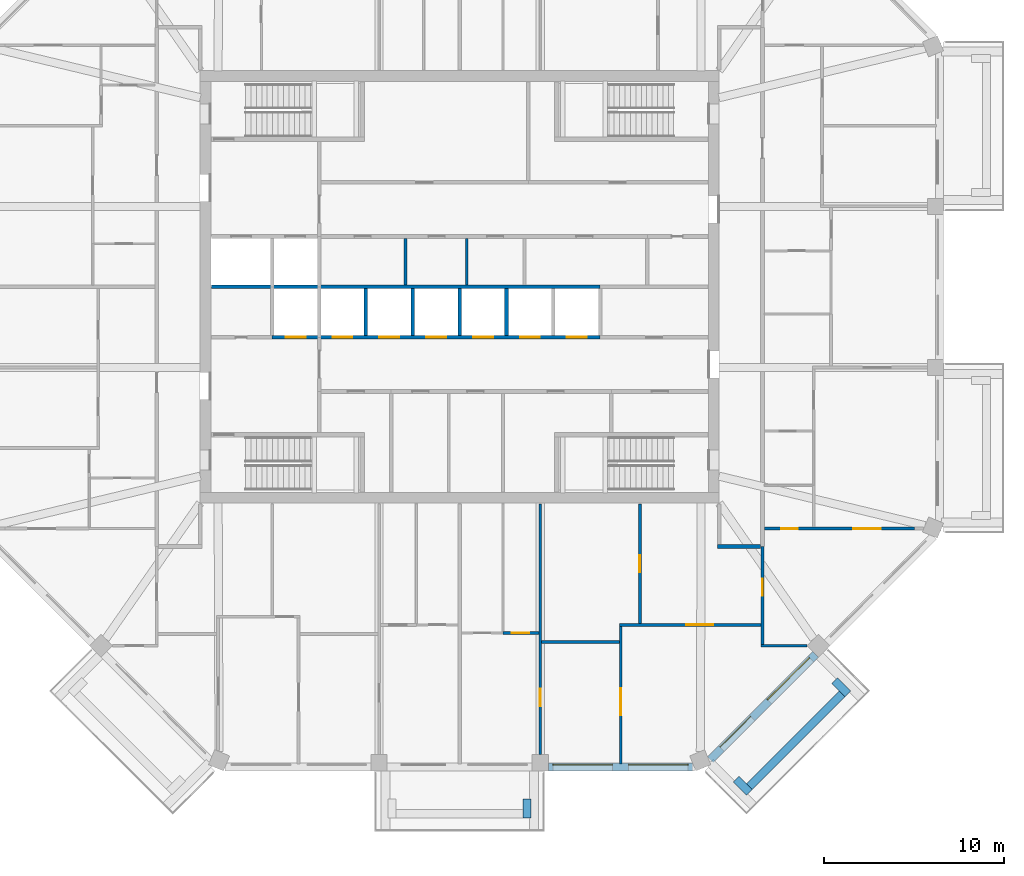
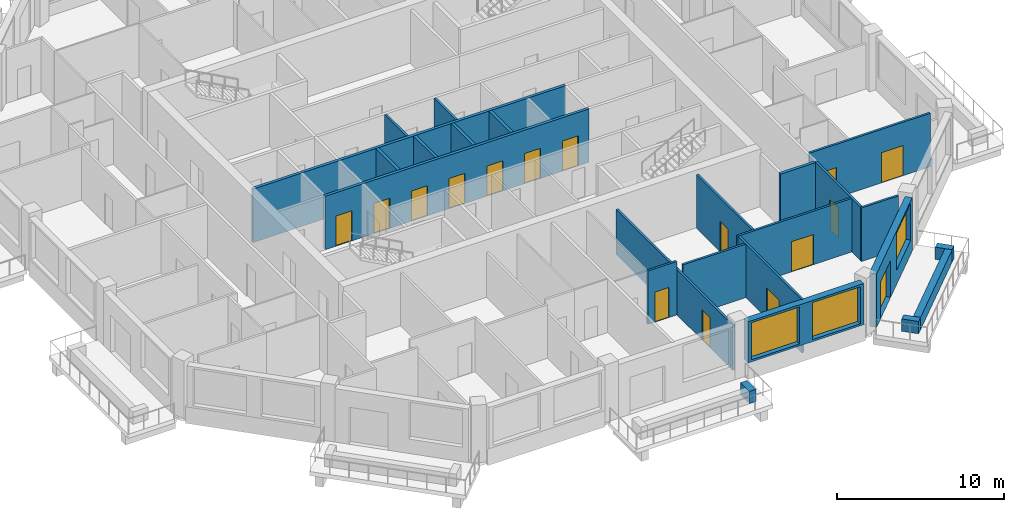
# One storey, part 5 of 12: 24 walls, 16 doors, 3 windows, 19 openings.
"""IFC4 building model written with IfcOpenShell, lengths in metres."""

import ifcopenshell
import ifcopenshell.guid

model = None  # the IFC model being written
_history = None  # IfcOwnerHistory: only IFC2X3 demands one
_inside = {}  # id of a spatial element -> (the spatial element, [elements in it])
_under = {}  # id of a project, library or spatial element -> (it, [spatial elements below it])
_declared = {}  # id of a project -> (the project, [libraries it declares])
_typed = {}  # id of a type object -> (the type object, [elements of that type])
_made_of = {}  # id of a material, layer set ... -> (it, [elements and type objects made of it])


def new_model(schema):
    """Start an empty IFC model of exactly this schema.

    Asked for "IFC4X3", IfcOpenShell would pick the latest addendum, in which some entities
    have other attributes; the version numbers below select the first issue.
    IFC2X3 requires an IfcOwnerHistory on every rooted entity: one is made here for all.
    """
    global model, _history
    if schema == "IFC4X3":
        model = ifcopenshell.file(schema_version=(4, 3, 0, 0))
    else:
        model = ifcopenshell.file(schema=schema)
    _inside.clear()
    _under.clear()
    _declared.clear()
    _typed.clear()
    _made_of.clear()
    _history = None
    if model.schema == "IFC2X3":
        org = make("IfcOrganization", Name="unknown")
        user = make(
            "IfcPersonAndOrganization",
            ThePerson=make("IfcPerson", FamilyName="unknown"),
            TheOrganization=org,
        )
        app = make(
            "IfcApplication",
            ApplicationDeveloper=org,
            Version="unknown",
            ApplicationFullName="unknown",
            ApplicationIdentifier="unknown",
        )
        _history = make(
            "IfcOwnerHistory",
            OwningUser=user,
            OwningApplication=app,
            ChangeAction="ADDED",
            CreationDate=0,
        )
    return model


def make(cls, **values):
    """One entity of the class cls with the attributes given. An attribute that is None is left unset."""
    return model.create_entity(
        cls, **{name: value for name, value in values.items() if value is not None}
    )


def rooted(cls, **values):
    """An entity with a GlobalId (a new one), such as an element, a storey or a relation."""
    return make(cls, GlobalId=ifcopenshell.guid.new(), OwnerHistory=_history, **values)


def si_unit(unit_type, name, prefix=None):
    """IfcSIUnit, for example si_unit("LENGTHUNIT", "METRE", prefix="MILLI")."""
    return make("IfcSIUnit", UnitType=unit_type, Prefix=prefix, Name=name)


def assignment(units):
    """IfcUnitAssignment: the units of a project."""
    return None if units is None else make("IfcUnitAssignment", Units=units)


def point(xyz):
    """IfcCartesianPoint."""
    return None if xyz is None else make("IfcCartesianPoint", Coordinates=xyz)


def direction(xyz):
    """IfcDirection."""
    return None if xyz is None else make("IfcDirection", DirectionRatios=xyz)


def frame(location, z_axis=None, x_axis=None):
    """IfcAxis2Placement3D, a coordinate frame: its origin and axes. An axis left out is left unset."""
    return make(
        "IfcAxis2Placement3D",
        Location=point(location),
        Axis=direction(z_axis),
        RefDirection=direction(x_axis),
    )


def frame_2d(location, x_axis=None):
    """IfcAxis2Placement2D, a coordinate frame in the plane: its origin and x axis."""
    return make(
        "IfcAxis2Placement2D", Location=point(location), RefDirection=direction(x_axis)
    )


def origin():
    """The frame at (0, 0, 0) with its axes left unset."""
    return frame((0.0, 0.0, 0.0))


def place(relative_to, where):
    """IfcLocalPlacement: puts the frame where relative to a parent placement (None: the world)."""
    return make(
        "IfcLocalPlacement", PlacementRelTo=relative_to, RelativePlacement=where
    )


def context(
    kind, dimensions, precision=None, world=None, true_north=None, identifier=None
):
    """IfcGeometricRepresentationContext, for example the 3D "Model" context."""
    return make(
        "IfcGeometricRepresentationContext",
        ContextIdentifier=identifier,
        ContextType=kind,
        CoordinateSpaceDimension=dimensions,
        Precision=precision,
        WorldCoordinateSystem=world,
        TrueNorth=true_north,
    )


def subcontext(parent, identifier, kind, view, scale=None):
    """IfcGeometricRepresentationSubContext, for example "Body" below "Model"."""
    return make(
        "IfcGeometricRepresentationSubContext",
        ContextIdentifier=identifier,
        ContextType=kind,
        ParentContext=parent,
        TargetScale=scale,
        TargetView=view,
    )


def project(units=None, contexts=None):
    """IfcProject with its units and contexts."""
    return rooted(
        "IfcProject",
        Name="project",
        RepresentationContexts=contexts,
        UnitsInContext=assignment(units),
    )


def spatial(cls, under=None, at=None, **own):
    """A site, building, storey or space (cls), placed at a placement, below another one or the project."""
    s = rooted(cls, ObjectPlacement=at, **own)
    if under is not None:
        _under.setdefault(under.id(), (under, []))[1].append(s)
    return s


def profile(cls, at=None, kind="AREA", **sizes):
    """A parametric profile (cls). Its sizes go by their IFC names, for example OverallWidth=200.0."""
    return make(cls, ProfileType=kind, Position=at, **sizes)


def rectangle(**sizes):
    """IfcRectangleProfileDef."""
    return profile("IfcRectangleProfileDef", **sizes)


def extrude(swept, where, along, depth):
    """IfcExtrudedAreaSolid: the profile swept, set in the frame where, extruded along a direction by depth."""
    return make(
        "IfcExtrudedAreaSolid",
        SweptArea=swept,
        Position=where,
        ExtrudedDirection=direction(along),
        Depth=depth,
    )


def shape(context_of_items, identifier, shape_type, items):
    """IfcShapeRepresentation: the items that make up one representation, for example the "Body"."""
    return make(
        "IfcShapeRepresentation",
        ContextOfItems=context_of_items,
        RepresentationIdentifier=identifier,
        RepresentationType=shape_type,
        Items=items,
    )


def material(Name=None, Category=None):
    """IfcMaterial."""
    return make("IfcMaterial", Name=Name, Category=Category)


def layer(
    of_material, thickness, ventilated=None, Name=None, Category=None, Priority=None
):
    """IfcMaterialLayer: one layer of a wall or slab, of a material (None: an air gap)."""
    return make(
        "IfcMaterialLayer",
        Material=of_material,
        LayerThickness=thickness,
        IsVentilated=ventilated,
        Name=Name,
        Category=Category,
        Priority=Priority,
    )


def layer_set(layers, Name=None):
    """IfcMaterialLayerSet."""
    return make("IfcMaterialLayerSet", MaterialLayers=layers, LayerSetName=Name)


def made_of(thing, what):
    """Note that an element or type object is made of a material, layer set ...; save() writes the relation."""
    if what is not None:
        _made_of.setdefault(what.id(), (what, []))[1].append(thing)
    return thing


def type_object(cls, material=None, **own):
    """A type object (cls), such as IfcWallType, which elements share."""
    return made_of(rooted(cls, **own), material)


def element(
    cls,
    number,
    at=None,
    inside=None,
    cuts=None,
    type_object=None,
    material=None,
    context=None,
    identifier="Body",
    shape_type=None,
    held_by="IfcProductDefinitionShape",
    body=None,
    shapes=None,
    **own,
):
    """One element of the class cls, such as IfcWall. Its Tag is "e" and its number.

    at: its placement. inside: the storey or other place that contains it. cuts: it is an
    opening in that element (IfcRelVoidsElement). A single representation is given by context,
    identifier, shape_type and body (its items); several are given by shapes. held_by: the class
    of the entity that holds the representations. save() writes the other relations.
    """
    e = rooted(cls, Tag="e%d" % number, ObjectPlacement=at, **own)
    if body is not None:
        shapes = [shape(context, identifier, shape_type, body)]
    if shapes is not None:
        e.Representation = make(held_by, Representations=shapes)
    if inside is not None:
        _inside.setdefault(inside.id(), (inside, []))[1].append(e)
    if cuts is not None:
        rooted(
            "IfcRelVoidsElement", RelatingBuildingElement=cuts, RelatedOpeningElement=e
        )
    if type_object is not None:
        _typed.setdefault(type_object.id(), (type_object, []))[1].append(e)
    return made_of(e, material)


def fill(opening, filler):
    """IfcRelFillsElement: the door or window that sits in an opening."""
    return rooted(
        "IfcRelFillsElement",
        RelatingOpeningElement=opening,
        RelatedBuildingElement=filler,
    )


def aggregate(whole, parts):
    """IfcRelAggregates: a whole, such as a stair, and the parts it consists of."""
    return rooted("IfcRelAggregates", RelatingObject=whole, RelatedObjects=parts)


def save(model, path):
    """Write the relations noted so far, then the file.

    IfcRelAggregates (storeys below a building ...), IfcRelContainedInSpatialStructure (elements
    in a storey), IfcRelDefinesByType, IfcRelAssociatesMaterial and IfcRelDeclares: one each for
    every whole, place, type object, material and project.
    """
    for whole, parts in _under.values():
        aggregate(whole, parts)
    for where, things in _inside.values():
        rooted(
            "IfcRelContainedInSpatialStructure",
            RelatedElements=things,
            RelatingStructure=where,
        )
    for kind, things in _typed.values():
        rooted("IfcRelDefinesByType", RelatedObjects=things, RelatingType=kind)
    for what, things in _made_of.values():
        rooted("IfcRelAssociatesMaterial", RelatedObjects=things, RelatingMaterial=what)
    for by, libraries in _declared.values():
        rooted("IfcRelDeclares", RelatingContext=by, RelatedDefinitions=libraries)
    model.write(path)


model = new_model("IFC4")

# Units and contexts
model_context = context("Model", 3, precision=1e-05, world=origin(), true_north=direction((0.0, 1.0)))
body_context = subcontext(model_context, "Body", "Model", "MODEL_VIEW")
ifc_project = project(units=[si_unit("LENGTHUNIT", "METRE"), si_unit("AREAUNIT", "SQUARE_METRE"), si_unit("VOLUMEUNIT", "CUBIC_METRE"), si_unit("PLANEANGLEUNIT", "RADIAN"), si_unit("MASSUNIT", "GRAM", prefix="KILO")], contexts=[model_context])

# Site, building, storey
site_placement = place(None, origin())
site = spatial("IfcSite", under=ifc_project, at=site_placement, CompositionType="ELEMENT")
building_placement = place(site_placement, origin())
building = spatial("IfcBuilding", under=site, at=building_placement, Name="Msitu Wima Residences", CompositionType="ELEMENT")
storey_placement = place(building_placement, frame((0.0, 0.0, 306.300048828125)))
storey = spatial("IfcBuildingStorey", under=building, at=storey_placement, Name="L71", CompositionType="ELEMENT", Elevation=306.300048828125)

# Walls
ifc_material_1 = material(Name="Facing brick")
ifc_layer_1 = layer(ifc_material_1, 0.06494140625, Name="Facing brick")
ifc_material_2 = material(Name="Concrete C40/50", Category="concrete")
ifc_layer_2 = layer(ifc_material_2, 0.156005859375, Name="Concrete C40/50")
ifc_material_3 = material(Name="Waterproofing membrane")
ifc_layer_3 = layer(ifc_material_3, 0.00390625, Name="Waterproofing membrane")
ifc_material_4 = material(Name="Planting soil and planting")
ifc_layer_4 = layer(ifc_material_4, 0.22509765625, Name="Planting soil and planting")
ifc_layer_set_1 = layer_set([ifc_layer_1, ifc_layer_2, ifc_layer_3, ifc_layer_4], Name="Concrete C40/50")
wall_type_1 = type_object("IfcWallType", Name="Balcony planter PLANTER PL450", PredefinedType="USERDEFINED", material=ifc_layer_set_1)
wall_1_placement = place(storey_placement, frame((3.74365234375, -28.39990234375, 0.0), z_axis=(0.0, 0.0, 1.0), x_axis=(0.0, -1.0, 0.0)))
element("IfcWall", 1, at=wall_1_placement, inside=storey, type_object=wall_type_1, Name="Balcony planter S1 L71", ObjectType="PLANTER", PredefinedType="USERDEFINED", context=body_context, shape_type="SweptSolid", body=[
    extrude(rectangle(XDim=1.050048828125, YDim=0.449951171875, at=frame_2d((0.52490234375, 0.0))), origin(), (0.0, 0.0, 1.0), 0.89990234375),
])
wall_2_placement = place(storey_placement, frame((16.0751953125, -27.725830078125, 0.0), z_axis=(0.0, 0.0, 1.0), x_axis=(0.707106781187, 0.707106781187, 0.0)))
element("IfcWall", 2, at=wall_2_placement, inside=storey, type_object=wall_type_1, Name="Balcony planter SE0 L71", ObjectType="PLANTER", PredefinedType="USERDEFINED", context=body_context, shape_type="SweptSolid", body=[
    extrude(rectangle(XDim=7.288330078125, YDim=0.449951171875, at=frame_2d((3.64404296875, 0.0))), origin(), (0.0, 0.0, 1.0), 0.89990234375),
])
for number, where, z_axis, x_axis, name in (
    (3, (15.332763671875, -27.301513671875, 0.0), (0.0, 0.0, 1.0), (0.707106781187, -0.707106781187, 0.0), "Balcony planter SE0 L71"),
    (4, (20.804443359375, -21.829833984375, 0.0), (0.0, 0.0, 1.0), (0.707106781187, -0.707106781187, 0.0), "Balcony planter SE0 L71"),
):
    element("IfcWall", number, at=place(storey_placement, frame(where, z_axis=z_axis, x_axis=x_axis)), inside=storey, type_object=wall_type_1, Name=name, ObjectType="PLANTER", PredefinedType="USERDEFINED", context=body_context, shape_type="SweptSolid", body=[
        extrude(rectangle(XDim=1.050048828125, YDim=0.449951171875, at=frame_2d((0.52490234375, 0.0))), origin(), (0.0, 0.0, 1.0), 0.89990234375),
    ])

# Wall, openings, windows
ifc_material_5 = material(Name="Brick (red buff mix)", Category="masonry")
ifc_layer_5 = layer(ifc_material_5, 0.449951171875)
ifc_layer_set_2 = layer_set([ifc_layer_5], Name="Brick (red buff mix)")
wall_type_2 = type_object("IfcWallType", Name="Brick infill wall BW450", PredefinedType="SOLIDWALL", material=ifc_layer_set_2)
wall_3_placement = place(storey_placement, frame((4.918701171875, -26.625, 0.89990234375), z_axis=(0.0, 0.0, 1.0), x_axis=(1.0, 0.0, 0.0)))
wall_3 = element("IfcWall", 5, at=wall_3_placement, inside=storey, type_object=wall_type_2, Name="Brick infill wall L71 S2", PredefinedType="SOLIDWALL", context=body_context, shape_type="SweptSolid", body=[
    extrude(rectangle(XDim=8.0, YDim=0.449951171875, at=frame_2d((4.0, 0.0))), origin(), (0.0, 0.0, 1.0), 3.0),
])
opening_1_placement = place(wall_3_placement, frame((0.25, 0.0, 0.14990234375)))
opening_1 = element("IfcOpeningElement", 6, at=opening_1_placement, cuts=wall_3, Name="Opening W71.019", PredefinedType="OPENING", context=body_context, shape_type="SweptSolid", body=[
    extrude(rectangle(XDim=3.300048828125, YDim=2.699951171875, at=frame_2d((1.64990234375, 1.35009765625))), frame((0.0, 0.23486328125, 0.0), z_axis=(0.0, -1.0, 0.0), x_axis=(1.0, 0.0, 0.0)), (0.0, 0.0, 1.0), 0.469970703125),
])
opening_2_placement = place(wall_3_placement, frame((4.4501953125, 0.0, 0.14990234375)))
opening_2 = element("IfcOpeningElement", 7, at=opening_2_placement, cuts=wall_3, Name="Opening W71.020", PredefinedType="OPENING", context=body_context, shape_type="SweptSolid", body=[
    extrude(rectangle(XDim=3.300048828125, YDim=2.699951171875, at=frame_2d((1.64990234375, 1.35009765625))), frame((0.0, 0.23486328125, 0.0), z_axis=(0.0, -1.0, 0.0), x_axis=(1.0, 0.0, 0.0)), (0.0, 0.0, 1.0), 0.469970703125),
])
ifc_material_6 = material(Name="Anodised aluminium, bronze finish, clear low-emissivity double glazing", Category="aluminium")
window_type = type_object("IfcWindowType", Name="Window W3300x2700", PartitioningType="DOUBLE_PANEL_VERTICAL", PredefinedType="WINDOW", material=ifc_material_6)
window_1_placement = place(opening_1_placement, origin())
window_1 = element("IfcWindow", 8, at=window_1_placement, inside=storey, type_object=window_type, Name="Window L71 S2.1", OverallHeight=2.699951171875, OverallWidth=3.300048828125, PartitioningType="SINGLE_PANEL", PredefinedType="WINDOW", context=body_context, shape_type="SweptSolid", body=[
    extrude(rectangle(XDim=3.300048828125, YDim=2.699951171875, at=frame_2d((1.64990234375, 1.35009765625))), frame((0.0, 0.135009765625, 0.0), z_axis=(0.0, -1.0, 0.0), x_axis=(1.0, 0.0, 0.0)), (0.0, 0.0, 1.0), 0.06005859375),
])
fill(opening_1, window_1)
window_2_placement = place(opening_2_placement, origin())
window_2 = element("IfcWindow", 9, at=window_2_placement, inside=storey, type_object=window_type, Name="Window L71 S2.2", OverallHeight=2.699951171875, OverallWidth=3.300048828125, PartitioningType="SINGLE_PANEL", PredefinedType="WINDOW", context=body_context, shape_type="SweptSolid", body=[
    extrude(rectangle(XDim=3.300048828125, YDim=2.699951171875, at=frame_2d((1.64990234375, 1.35009765625))), frame((0.0, 0.135009765625, 0.0), z_axis=(0.0, -1.0, 0.0), x_axis=(1.0, 0.0, 0.0)), (0.0, 0.0, 1.0), 0.06005859375),
])
fill(opening_2, window_2)

# Wall, openings, door, window
wall_4_placement = place(storey_placement, frame((13.909423828125, -26.214599609375, 0.0), z_axis=(0.0, 0.0, 1.0), x_axis=(0.707106781187, 0.707106781187, 0.0)))
wall_4 = element("IfcWall", 10, at=wall_4_placement, inside=storey, type_object=wall_type_2, Name="Brick infill wall L71 SE0", PredefinedType="SOLIDWALL", context=body_context, shape_type="SweptSolid", body=[
    extrude(rectangle(XDim=8.251220703125, YDim=0.449951171875, at=frame_2d((4.12548828125, 0.0))), origin(), (0.0, 0.0, 1.0), 3.89990234375),
])
opening_3_placement = place(wall_4_placement, frame((0.86279296875, 0.0, 0.0)))
opening_3 = element("IfcOpeningElement", 11, at=opening_3_placement, cuts=wall_4, Name="Opening D71.007", PredefinedType="OPENING", context=body_context, shape_type="SweptSolid", body=[
    extrude(rectangle(XDim=2.39990234375, YDim=2.699951171875, at=frame_2d((1.199951171875, 1.35009765625))), frame((0.0, 0.23486328125, 0.0), z_axis=(0.0, -1.0, 0.0), x_axis=(1.0, 0.0, 0.0)), (0.0, 0.0, 1.0), 0.469970703125),
])
opening_4_placement = place(wall_4_placement, frame((4.57568359375, 0.0, 1.050048828125)))
opening_4 = element("IfcOpeningElement", 12, at=opening_4_placement, cuts=wall_4, Name="Opening W71.021", PredefinedType="OPENING", context=body_context, shape_type="SweptSolid", body=[
    extrude(rectangle(XDim=3.300048828125, YDim=2.699951171875, at=frame_2d((1.64990234375, 1.35009765625))), frame((0.0, 0.23486328125, 0.0), z_axis=(0.0, -1.0, 0.0), x_axis=(1.0, 0.0, 0.0)), (0.0, 0.0, 1.0), 0.469970703125),
])
door_type_1 = type_object("IfcDoorType", Name="Balcony door D2400x2700", OperationType="SLIDING_TO_LEFT", PredefinedType="DOOR", material=ifc_material_6)
door_1_placement = place(opening_3_placement, origin())
door_1 = element("IfcDoor", 13, at=door_1_placement, inside=storey, type_object=door_type_1, Name="Balcony door L71 SE0", OperationType="SINGLE_SWING_LEFT", OverallHeight=2.699951171875, OverallWidth=2.39990234375, PredefinedType="DOOR", context=body_context, shape_type="SweptSolid", body=[
    extrude(rectangle(XDim=2.39990234375, YDim=2.699951171875, at=frame_2d((1.199951171875, 1.35009765625))), frame((0.0, 0.1298828125, 0.0), z_axis=(0.0, -1.0, 0.0), x_axis=(1.0, 0.0, 0.0)), (0.0, 0.0, 1.0), 0.050048828125),
])
fill(opening_3, door_1)
window_3_placement = place(opening_4_placement, origin())
window_3 = element("IfcWindow", 14, at=window_3_placement, inside=storey, type_object=window_type, Name="Window L71 SE0.2", OverallHeight=2.699951171875, OverallWidth=3.300048828125, PartitioningType="SINGLE_PANEL", PredefinedType="WINDOW", context=body_context, shape_type="SweptSolid", body=[
    extrude(rectangle(XDim=3.300048828125, YDim=2.699951171875, at=frame_2d((1.64990234375, 1.35009765625))), frame((0.0, 0.135009765625, 0.0), z_axis=(0.0, -1.0, 0.0), x_axis=(1.0, 0.0, 0.0)), (0.0, 0.0, 1.0), 0.06005859375),
])
fill(opening_4, window_3)

# Walls
ifc_material_7 = material(Name="Plaster")
ifc_layer_6 = layer(ifc_material_7, 0.011962890625, Name="Plaster")
ifc_material_8 = material(Name="Concrete blockwork", Category="masonry")
ifc_layer_7 = layer(ifc_material_8, 0.176025390625, Name="Concrete blockwork")
ifc_layer_8 = layer(ifc_material_7, 0.011962890625, Name="Plaster")
ifc_layer_set_3 = layer_set([ifc_layer_6, ifc_layer_7, ifc_layer_8], Name="Concrete blockwork")
wall_type_3 = type_object("IfcWallType", Name="Corridor wall FW200", PredefinedType="PARTITIONING", material=ifc_layer_set_3)
wall_5_placement = place(storey_placement, frame((14.300048828125, -14.39990234375, 0.0), z_axis=(0.0, 0.0, 1.0), x_axis=(1.0, 0.0, 0.0)))
element("IfcWall", 15, at=wall_5_placement, inside=storey, type_object=wall_type_3, Name="Corridor wall", PredefinedType="PARTITIONING", context=body_context, shape_type="SweptSolid", body=[
    extrude(rectangle(XDim=2.39990234375, YDim=0.199951171875, at=frame_2d((1.199951171875, 0.0))), origin(), (0.0, 0.0, 1.0), 3.89990234375),
])
ifc_layer_9 = layer(ifc_material_7, 0.011962890625, Name="Plaster")
ifc_layer_10 = layer(ifc_material_8, 0.1259765625, Name="Concrete blockwork")
ifc_layer_11 = layer(ifc_material_7, 0.011962890625, Name="Plaster")
ifc_layer_set_4 = layer_set([ifc_layer_9, ifc_layer_10, ifc_layer_11], Name="Concrete blockwork")
wall_type_4 = type_object("IfcWallType", Name="Partition PW150", PredefinedType="PARTITIONING", material=ifc_layer_set_4)
for number, where, z_axis, x_axis, name in (
    (16, (-3.0, 0.10009765625, 0.0), (0.0, 0.0, 1.0), (0.0, 1.0, 0.0), "Partition"),
    (17, (0.39990234375, 0.10009765625, 0.0), (0.0, 0.0, 1.0), (0.0, 1.0, 0.0), "Partition"),
):
    element("IfcWall", number, at=place(storey_placement, frame(where, z_axis=z_axis, x_axis=x_axis)), inside=storey, type_object=wall_type_4, Name=name, PredefinedType="PARTITIONING", context=body_context, shape_type="SweptSolid", body=[
        extrude(rectangle(XDim=2.599853515625, YDim=0.14990234375, at=frame_2d((1.2998046875, 0.0))), origin(), (0.0, 0.0, 1.0), 3.89990234375),
    ])

# Wall, opening, door
wall_6_placement = place(storey_placement, frame((2.39990234375, -19.199951171875, 0.0), z_axis=(0.0, 0.0, 1.0), x_axis=(1.0, 0.0, 0.0)))
wall_6 = element("IfcWall", 18, at=wall_6_placement, inside=storey, type_object=wall_type_4, Name="Partition", PredefinedType="PARTITIONING", context=body_context, shape_type="SweptSolid", body=[
    extrude(rectangle(XDim=1.99365234375, YDim=0.14990234375, at=frame_2d((0.996826171875, 0.0))), origin(), (0.0, 0.0, 1.0), 3.89990234375),
])
opening_5_placement = place(wall_6_placement, frame((0.5, 0.0, 0.0)))
opening_5 = element("IfcOpeningElement", 19, at=opening_5_placement, cuts=wall_6, Name="Opening D71.026", PredefinedType="OPENING", context=body_context, shape_type="SweptSolid", body=[
    extrude(rectangle(XDim=0.949951171875, YDim=2.199951171875, at=frame_2d((0.47509765625, 1.10009765625))), frame((0.0, 0.0849609375, 0.0), z_axis=(0.0, -1.0, 0.0), x_axis=(1.0, 0.0, 0.0)), (0.0, 0.0, 1.0), 0.169921875),
])
ifc_material_9 = material(Name="Timber flush door", Category="wood")
door_type_2 = type_object("IfcDoorType", Name="Room door D12 950x2200", OperationType="SINGLE_SWING_LEFT", PredefinedType="DOOR", material=ifc_material_9)
door_2_placement = place(opening_5_placement, origin())
door_2 = element("IfcDoor", 20, at=door_2_placement, inside=storey, type_object=door_type_2, Name="Room door", OperationType="SINGLE_SWING_LEFT", OverallHeight=2.199951171875, OverallWidth=0.949951171875, PredefinedType="DOOR", context=body_context, shape_type="SweptSolid", body=[
    extrude(rectangle(XDim=0.949951171875, YDim=2.199951171875, at=frame_2d((0.47509765625, 1.10009765625))), frame((0.0, 0.02490234375, 0.0), z_axis=(0.0, -1.0, 0.0), x_axis=(1.0, 0.0, 0.0)), (0.0, 0.0, 1.0), 0.050048828125),
])
fill(opening_5, door_2)

wall_7_placement = place(storey_placement, frame((4.46875, -25.949951171875, 0.0), z_axis=(0.0, 0.0, 1.0), x_axis=(0.0, 1.0, 0.0)))
wall_7 = element("IfcWall", 21, at=wall_7_placement, inside=storey, type_object=wall_type_4, Name="Partition", PredefinedType="PARTITIONING", context=body_context, shape_type="SweptSolid", body=[
    extrude(rectangle(XDim=13.919921875, YDim=0.14990234375, at=frame_2d((6.9599609375, 0.0))), origin(), (0.0, 0.0, 1.0), 3.300048828125),
])
opening_6_placement = place(wall_7_placement, frame((2.699951171875, 0.0, 0.0)))
opening_6 = element("IfcOpeningElement", 22, at=opening_6_placement, cuts=wall_7, Name="Opening D71.022", PredefinedType="OPENING", context=body_context, shape_type="SweptSolid", body=[
    extrude(rectangle(XDim=0.949951171875, YDim=2.199951171875, at=frame_2d((0.47509765625, 1.10009765625))), frame((0.0, 0.0849609375, 0.0), z_axis=(0.0, -1.0, 0.0), x_axis=(1.0, 0.0, 0.0)), (0.0, 0.0, 1.0), 0.169921875),
])
door_3_placement = place(opening_6_placement, origin())
door_3 = element("IfcDoor", 23, at=door_3_placement, inside=storey, type_object=door_type_2, Name="Room door", OperationType="SINGLE_SWING_LEFT", OverallHeight=2.199951171875, OverallWidth=0.949951171875, PredefinedType="DOOR", context=body_context, shape_type="SweptSolid", body=[
    extrude(rectangle(XDim=0.949951171875, YDim=2.199951171875, at=frame_2d((0.47509765625, 1.10009765625))), frame((0.0, 0.02490234375, 0.0), z_axis=(0.0, -1.0, 0.0), x_axis=(1.0, 0.0, 0.0)), (0.0, 0.0, 1.0), 0.050048828125),
])
fill(opening_6, door_3)

# Wall
wall_8_placement = place(storey_placement, frame((4.543701171875, -19.699951171875, 0.0), z_axis=(0.0, 0.0, 1.0), x_axis=(1.0, 0.0, 0.0)))
element("IfcWall", 24, at=wall_8_placement, inside=storey, type_object=wall_type_4, Name="Partition", PredefinedType="PARTITIONING", context=body_context, shape_type="SweptSolid", body=[
    extrude(rectangle(XDim=4.318603515625, YDim=0.14990234375, at=frame_2d((2.1591796875, 0.0))), origin(), (0.0, 0.0, 1.0), 3.89990234375),
])

# Wall, opening, door
wall_9_placement = place(storey_placement, frame((8.937255859375, -26.455078125, 0.0), z_axis=(0.0, 0.0, 1.0), x_axis=(0.0, 1.0, 0.0)))
wall_9 = element("IfcWall", 25, at=wall_9_placement, inside=storey, type_object=wall_type_4, Name="Partition", PredefinedType="PARTITIONING", context=body_context, shape_type="SweptSolid", body=[
    extrude(rectangle(XDim=7.630126953125, YDim=0.14990234375, at=frame_2d((3.81494140625, 0.0))), origin(), (0.0, 0.0, 1.0), 3.89990234375),
])
opening_7_placement = place(wall_9_placement, frame((2.699951171875, 0.0, 0.0)))
opening_7 = element("IfcOpeningElement", 26, at=opening_7_placement, cuts=wall_9, Name="Opening D71.019", PredefinedType="OPENING", context=body_context, shape_type="SweptSolid", body=[
    extrude(rectangle(XDim=1.5, YDim=2.199951171875, at=frame_2d((0.75, 1.10009765625))), frame((0.0, 0.0849609375, 0.0), z_axis=(0.0, -1.0, 0.0), x_axis=(1.0, 0.0, 0.0)), (0.0, 0.0, 1.0), 0.169921875),
])
ifc_material_10 = material(Name="Timber double door", Category="wood")
door_type_3 = type_object("IfcDoorType", Name="Double door D04 1500x2200", OperationType="DOUBLE_DOOR_SINGLE_SWING", PredefinedType="DOOR", material=ifc_material_10)
door_4_placement = place(opening_7_placement, origin())
door_4 = element("IfcDoor", 27, at=door_4_placement, inside=storey, type_object=door_type_3, Name="Double door", OperationType="DOUBLE_DOOR_SINGLE_SWING", OverallHeight=2.199951171875, OverallWidth=1.5, PredefinedType="DOOR", context=body_context, shape_type="SweptSolid", body=[
    extrude(rectangle(XDim=1.5, YDim=2.199951171875, at=frame_2d((0.75, 1.10009765625))), frame((0.0, 0.02490234375, 0.0), z_axis=(0.0, -1.0, 0.0), x_axis=(1.0, 0.0, 0.0)), (0.0, 0.0, 1.0), 0.050048828125),
])
fill(opening_7, door_4)

wall_10_placement = place(storey_placement, frame((8.8623046875, -18.75, 0.0), z_axis=(0.0, 0.0, 1.0), x_axis=(1.0, 0.0, 0.0)))
wall_10 = element("IfcWall", 28, at=wall_10_placement, inside=storey, type_object=wall_type_4, Name="Partition", PredefinedType="PARTITIONING", context=body_context, shape_type="SweptSolid", body=[
    extrude(rectangle(XDim=7.86279296875, YDim=0.14990234375, at=frame_2d((3.931396484375, 0.0))), origin(), (0.0, 0.0, 1.0), 3.89990234375),
])
opening_8_placement = place(wall_10_placement, frame((3.699951171875, 0.0, 0.0)))
opening_8 = element("IfcOpeningElement", 29, at=opening_8_placement, cuts=wall_10, Name="Opening D71.036", PredefinedType="OPENING", context=body_context, shape_type="SweptSolid", body=[
    extrude(rectangle(XDim=1.5, YDim=2.199951171875, at=frame_2d((0.75, 1.10009765625))), frame((0.0, 0.0849609375, 0.0), z_axis=(0.0, -1.0, 0.0), x_axis=(1.0, 0.0, 0.0)), (0.0, 0.0, 1.0), 0.169921875),
])
door_5_placement = place(opening_8_placement, origin())
door_5 = element("IfcDoor", 30, at=door_5_placement, inside=storey, type_object=door_type_3, Name="Double door", OperationType="DOUBLE_DOOR_SINGLE_SWING", OverallHeight=2.199951171875, OverallWidth=1.5, PredefinedType="DOOR", context=body_context, shape_type="SweptSolid", body=[
    extrude(rectangle(XDim=1.5, YDim=2.199951171875, at=frame_2d((0.75, 1.10009765625))), frame((0.0, 0.02490234375, 0.0), z_axis=(0.0, -1.0, 0.0), x_axis=(1.0, 0.0, 0.0)), (0.0, 0.0, 1.0), 0.050048828125),
])
fill(opening_8, door_5)

wall_11_placement = place(storey_placement, frame((10.0, -18.675048828125, 0.0), z_axis=(0.0, 0.0, 1.0), x_axis=(0.0, 1.0, 0.0)))
wall_11 = element("IfcWall", 31, at=wall_11_placement, inside=storey, type_object=wall_type_4, Name="Partition", PredefinedType="PARTITIONING", context=body_context, shape_type="SweptSolid", body=[
    extrude(rectangle(XDim=6.64501953125, YDim=0.14990234375, at=frame_2d((3.322509765625, 0.0))), origin(), (0.0, 0.0, 1.0), 3.89990234375),
])
opening_9_placement = place(wall_11_placement, frame((2.85009765625, 0.0, 0.0)))
opening_9 = element("IfcOpeningElement", 32, at=opening_9_placement, cuts=wall_11, Name="Opening D71.018", PredefinedType="OPENING", context=body_context, shape_type="SweptSolid", body=[
    extrude(rectangle(XDim=0.949951171875, YDim=2.199951171875, at=frame_2d((0.47509765625, 1.10009765625))), frame((0.0, 0.0849609375, 0.0), z_axis=(0.0, -1.0, 0.0), x_axis=(1.0, 0.0, 0.0)), (0.0, 0.0, 1.0), 0.169921875),
])
door_6_placement = place(opening_9_placement, origin())
door_6 = element("IfcDoor", 33, at=door_6_placement, inside=storey, type_object=door_type_2, Name="Room door", OperationType="SINGLE_SWING_LEFT", OverallHeight=2.199951171875, OverallWidth=0.949951171875, PredefinedType="DOOR", context=body_context, shape_type="SweptSolid", body=[
    extrude(rectangle(XDim=0.949951171875, YDim=2.199951171875, at=frame_2d((0.47509765625, 1.10009765625))), frame((0.0, 0.02490234375, 0.0), z_axis=(0.0, -1.0, 0.0), x_axis=(1.0, 0.0, 0.0)), (0.0, 0.0, 1.0), 0.050048828125),
])
fill(opening_9, door_6)

wall_12_placement = place(storey_placement, frame((16.800048828125, -19.827880859375, 0.0), z_axis=(0.0, 0.0, 1.0), x_axis=(0.0, 1.0, 0.0)))
wall_12 = element("IfcWall", 34, at=wall_12_placement, inside=storey, type_object=wall_type_4, Name="Partition", PredefinedType="PARTITIONING", context=body_context, shape_type="SweptSolid", body=[
    extrude(rectangle(XDim=5.427978515625, YDim=0.14990234375, at=frame_2d((2.7138671875, 0.0))), origin(), (0.0, 0.0, 1.0), 3.89990234375),
])
opening_10_placement = place(wall_12_placement, frame((2.699951171875, 0.0, 0.0)))
opening_10 = element("IfcOpeningElement", 35, at=opening_10_placement, cuts=wall_12, Name="Opening D71.035", PredefinedType="OPENING", context=body_context, shape_type="SweptSolid", body=[
    extrude(rectangle(XDim=0.949951171875, YDim=2.199951171875, at=frame_2d((0.47509765625, 1.10009765625))), frame((0.0, 0.0849609375, 0.0), z_axis=(0.0, -1.0, 0.0), x_axis=(1.0, 0.0, 0.0)), (0.0, 0.0, 1.0), 0.169921875),
])
door_7_placement = place(opening_10_placement, origin())
door_7 = element("IfcDoor", 36, at=door_7_placement, inside=storey, type_object=door_type_2, Name="Room door", OperationType="SINGLE_SWING_LEFT", OverallHeight=2.199951171875, OverallWidth=0.949951171875, PredefinedType="DOOR", context=body_context, shape_type="SweptSolid", body=[
    extrude(rectangle(XDim=0.949951171875, YDim=2.199951171875, at=frame_2d((0.47509765625, 1.10009765625))), frame((0.0, 0.02490234375, 0.0), z_axis=(0.0, -1.0, 0.0), x_axis=(1.0, 0.0, 0.0)), (0.0, 0.0, 1.0), 0.050048828125),
])
fill(opening_10, door_7)

# Wall
wall_13_placement = place(storey_placement, frame((16.72509765625, -19.90283203125, 0.0), z_axis=(0.0, 0.0, 1.0), x_axis=(1.0, 0.0, 0.0)))
element("IfcWall", 37, at=wall_13_placement, inside=storey, type_object=wall_type_4, Name="Partition", PredefinedType="PARTITIONING", context=body_context, shape_type="SweptSolid", body=[
    extrude(rectangle(XDim=2.54150390625, YDim=0.14990234375, at=frame_2d((1.270751953125, 0.0))), origin(), (0.0, 0.0, 1.0), 3.89990234375),
])

# Wall, openings, doors
wall_14_placement = place(storey_placement, frame((16.89990234375, -13.406005859375, 0.0), z_axis=(0.0, 0.0, 1.0), x_axis=(1.0, 0.0, 0.0)))
wall_14 = element("IfcWall", 38, at=wall_14_placement, inside=storey, type_object=wall_type_4, Name="Partition", PredefinedType="PARTITIONING", context=body_context, shape_type="SweptSolid", body=[
    extrude(rectangle(XDim=8.32421875, YDim=0.14990234375, at=frame_2d((4.162109375, 0.0))), origin(), (0.0, 0.0, 1.0), 3.89990234375),
])
opening_11_placement = place(wall_14_placement, frame((4.949951171875, 0.0, 0.0)))
opening_11 = element("IfcOpeningElement", 39, at=opening_11_placement, cuts=wall_14, Name="Opening D71.034", PredefinedType="OPENING", context=body_context, shape_type="SweptSolid", body=[
    extrude(rectangle(XDim=1.5, YDim=2.199951171875, at=frame_2d((0.75, 1.10009765625))), frame((0.0, 0.0849609375, 0.0), z_axis=(0.0, -1.0, 0.0), x_axis=(1.0, 0.0, 0.0)), (0.0, 0.0, 1.0), 0.169921875),
])
opening_12_placement = place(wall_14_placement, frame((0.949951171875, 0.0, 0.0)))
opening_12 = element("IfcOpeningElement", 40, at=opening_12_placement, cuts=wall_14, Name="Opening D71.017", PredefinedType="OPENING", context=body_context, shape_type="SweptSolid", body=[
    extrude(rectangle(XDim=0.89990234375, YDim=2.199951171875, at=frame_2d((0.449951171875, 1.10009765625))), frame((0.0, 0.0849609375, 0.0), z_axis=(0.0, -1.0, 0.0), x_axis=(1.0, 0.0, 0.0)), (0.0, 0.0, 1.0), 0.169921875),
])
door_8_placement = place(opening_11_placement, origin())
door_8 = element("IfcDoor", 41, at=door_8_placement, inside=storey, type_object=door_type_3, Name="Double door", OperationType="DOUBLE_DOOR_SINGLE_SWING", OverallHeight=2.199951171875, OverallWidth=1.5, PredefinedType="DOOR", context=body_context, shape_type="SweptSolid", body=[
    extrude(rectangle(XDim=1.5, YDim=2.199951171875, at=frame_2d((0.75, 1.10009765625))), frame((0.0, 0.02490234375, 0.0), z_axis=(0.0, -1.0, 0.0), x_axis=(1.0, 0.0, 0.0)), (0.0, 0.0, 1.0), 0.050048828125),
])
fill(opening_11, door_8)
door_type_4 = type_object("IfcDoorType", Name="Service door D05 900x2200", OperationType="SINGLE_SWING_LEFT", PredefinedType="DOOR", material=ifc_material_9)
door_9_placement = place(opening_12_placement, origin())
door_9 = element("IfcDoor", 42, at=door_9_placement, inside=storey, type_object=door_type_4, Name="Service door", OperationType="SINGLE_SWING_RIGHT", OverallHeight=2.199951171875, OverallWidth=0.89990234375, PredefinedType="DOOR", context=body_context, shape_type="SweptSolid", body=[
    extrude(rectangle(XDim=0.89990234375, YDim=2.199951171875, at=frame_2d((0.449951171875, 1.10009765625))), frame((0.0, 0.02490234375, 0.0), z_axis=(0.0, -1.0, 0.0), x_axis=(1.0, 0.0, 0.0)), (0.0, 0.0, 1.0), 0.050048828125),
])
fill(opening_12, door_9)

# Wall
ifc_material_11 = material(Name="Fire-rated board")
ifc_layer_12 = layer(ifc_material_11, 0.02490234375, Name="Fire-rated board")
ifc_material_12 = material(Name="Light-gauge stud framing with mineral wool")
ifc_layer_13 = layer(ifc_material_12, 0.14990234375, Name="Light-gauge stud framing with mineral wool")
ifc_layer_14 = layer(ifc_material_11, 0.02490234375, Name="Fire-rated board")
ifc_layer_set_5 = layer_set([ifc_layer_12, ifc_layer_13, ifc_layer_14], Name="Light-gauge stud framing with mineral wool")
wall_type_5 = type_object("IfcWallType", Name="Shaft wall SH200", PredefinedType="PARTITIONING", material=ifc_layer_set_5)
wall_15_placement = place(storey_placement, frame((-13.77001953125, 0.0, 0.0), z_axis=(0.0, 0.0, 1.0), x_axis=(1.0, 0.0, 0.0)))
element("IfcWall", 43, at=wall_15_placement, inside=storey, type_object=wall_type_5, Name="Shaft wall", PredefinedType="PARTITIONING", context=body_context, shape_type="SweptSolid", body=[
    extrude(rectangle(XDim=21.570068359375, YDim=0.199951171875, at=frame_2d((10.78515625, 0.0))), origin(), (0.0, 0.0, 1.0), 3.89990234375),
])

# Wall, openings, doors
wall_16_placement = place(storey_placement, frame((-10.39990234375, -2.800048828125, 0.0), z_axis=(0.0, 0.0, 1.0), x_axis=(1.0, 0.0, 0.0)))
wall_16 = element("IfcWall", 44, at=wall_16_placement, inside=storey, type_object=wall_type_5, Name="Shaft wall", PredefinedType="PARTITIONING", context=body_context, shape_type="SweptSolid", body=[
    extrude(rectangle(XDim=18.199951171875, YDim=0.199951171875, at=frame_2d((9.10009765625, 0.0))), origin(), (0.0, 0.0, 1.0), 3.89990234375),
])
opening_13_placement = place(wall_16_placement, frame((0.75, 0.0, 0.0)))
opening_13 = element("IfcOpeningElement", 45, at=opening_13_placement, cuts=wall_16, Name="Opening LD", PredefinedType="OPENING", context=body_context, shape_type="SweptSolid", body=[
    extrude(rectangle(XDim=1.10009765625, YDim=2.199951171875, at=frame_2d((0.550048828125, 1.10009765625))), frame((0.0, 0.10986328125, 0.0), z_axis=(0.0, -1.0, 0.0), x_axis=(1.0, 0.0, 0.0)), (0.0, 0.0, 1.0), 0.219970703125),
])
opening_14_placement = place(wall_16_placement, frame((3.35009765625, 0.0, 0.0)))
opening_14 = element("IfcOpeningElement", 46, at=opening_14_placement, cuts=wall_16, Name="Opening LD", PredefinedType="OPENING", context=body_context, shape_type="SweptSolid", body=[
    extrude(rectangle(XDim=1.10009765625, YDim=2.199951171875, at=frame_2d((0.550048828125, 1.10009765625))), frame((0.0, 0.10986328125, 0.0), z_axis=(0.0, -1.0, 0.0), x_axis=(1.0, 0.0, 0.0)), (0.0, 0.0, 1.0), 0.219970703125),
])
opening_15_placement = place(wall_16_placement, frame((5.949951171875, 0.0, 0.0)))
opening_15 = element("IfcOpeningElement", 47, at=opening_15_placement, cuts=wall_16, Name="Opening LD", PredefinedType="OPENING", context=body_context, shape_type="SweptSolid", body=[
    extrude(rectangle(XDim=1.10009765625, YDim=2.199951171875, at=frame_2d((0.550048828125, 1.10009765625))), frame((0.0, 0.10986328125, 0.0), z_axis=(0.0, -1.0, 0.0), x_axis=(1.0, 0.0, 0.0)), (0.0, 0.0, 1.0), 0.219970703125),
])
opening_16_placement = place(wall_16_placement, frame((8.550048828125, 0.0, 0.0)))
opening_16 = element("IfcOpeningElement", 48, at=opening_16_placement, cuts=wall_16, Name="Opening LD", PredefinedType="OPENING", context=body_context, shape_type="SweptSolid", body=[
    extrude(rectangle(XDim=1.10009765625, YDim=2.199951171875, at=frame_2d((0.550048828125, 1.10009765625))), frame((0.0, 0.10986328125, 0.0), z_axis=(0.0, -1.0, 0.0), x_axis=(1.0, 0.0, 0.0)), (0.0, 0.0, 1.0), 0.219970703125),
])
opening_17_placement = place(wall_16_placement, frame((11.14990234375, 0.0, 0.0)))
opening_17 = element("IfcOpeningElement", 49, at=opening_17_placement, cuts=wall_16, Name="Opening LD", PredefinedType="OPENING", context=body_context, shape_type="SweptSolid", body=[
    extrude(rectangle(XDim=1.10009765625, YDim=2.199951171875, at=frame_2d((0.550048828125, 1.10009765625))), frame((0.0, 0.10986328125, 0.0), z_axis=(0.0, -1.0, 0.0), x_axis=(1.0, 0.0, 0.0)), (0.0, 0.0, 1.0), 0.219970703125),
])
opening_18_placement = place(wall_16_placement, frame((13.75, 0.0, 0.0)))
opening_18 = element("IfcOpeningElement", 50, at=opening_18_placement, cuts=wall_16, Name="Opening LD", PredefinedType="OPENING", context=body_context, shape_type="SweptSolid", body=[
    extrude(rectangle(XDim=1.10009765625, YDim=2.199951171875, at=frame_2d((0.550048828125, 1.10009765625))), frame((0.0, 0.10986328125, 0.0), z_axis=(0.0, -1.0, 0.0), x_axis=(1.0, 0.0, 0.0)), (0.0, 0.0, 1.0), 0.219970703125),
])
opening_19_placement = place(wall_16_placement, frame((16.35009765625, 0.0, 0.0)))
opening_19 = element("IfcOpeningElement", 51, at=opening_19_placement, cuts=wall_16, Name="Opening LD", PredefinedType="OPENING", context=body_context, shape_type="SweptSolid", body=[
    extrude(rectangle(XDim=1.10009765625, YDim=2.199951171875, at=frame_2d((0.550048828125, 1.10009765625))), frame((0.0, 0.10986328125, 0.0), z_axis=(0.0, -1.0, 0.0), x_axis=(1.0, 0.0, 0.0)), (0.0, 0.0, 1.0), 0.219970703125),
])
ifc_material_13 = material(Name="Stainless steel centre-opening landing door, rated", Category="steel")
door_type_5 = type_object("IfcDoorType", Name="Lift landing door LD 1100x2200", OperationType="DOUBLE_DOOR_SLIDING", PredefinedType="DOOR", material=ifc_material_13)
door_10_placement = place(opening_13_placement, origin())
door_10 = element("IfcDoor", 52, at=door_10_placement, inside=storey, type_object=door_type_5, Name="Lift landing door LD3", OperationType="DOUBLE_DOOR_SLIDING", OverallHeight=2.199951171875, OverallWidth=1.10009765625, PredefinedType="DOOR", context=body_context, shape_type="SweptSolid", body=[
    extrude(rectangle(XDim=1.10009765625, YDim=2.199951171875, at=frame_2d((0.550048828125, 1.10009765625))), frame((0.0, 0.02490234375, 0.0), z_axis=(0.0, -1.0, 0.0), x_axis=(1.0, 0.0, 0.0)), (0.0, 0.0, 1.0), 0.050048828125),
])
fill(opening_13, door_10)
door_11_placement = place(opening_14_placement, origin())
door_11 = element("IfcDoor", 53, at=door_11_placement, inside=storey, type_object=door_type_5, Name="Lift landing door LD5", OperationType="DOUBLE_DOOR_SLIDING", OverallHeight=2.199951171875, OverallWidth=1.10009765625, PredefinedType="DOOR", context=body_context, shape_type="SweptSolid", body=[
    extrude(rectangle(XDim=1.10009765625, YDim=2.199951171875, at=frame_2d((0.550048828125, 1.10009765625))), frame((0.0, 0.02490234375, 0.0), z_axis=(0.0, -1.0, 0.0), x_axis=(1.0, 0.0, 0.0)), (0.0, 0.0, 1.0), 0.050048828125),
])
fill(opening_14, door_11)
door_12_placement = place(opening_15_placement, origin())
door_12 = element("IfcDoor", 54, at=door_12_placement, inside=storey, type_object=door_type_5, Name="Lift landing door LD7", OperationType="DOUBLE_DOOR_SLIDING", OverallHeight=2.199951171875, OverallWidth=1.10009765625, PredefinedType="DOOR", context=body_context, shape_type="SweptSolid", body=[
    extrude(rectangle(XDim=1.10009765625, YDim=2.199951171875, at=frame_2d((0.550048828125, 1.10009765625))), frame((0.0, 0.02490234375, 0.0), z_axis=(0.0, -1.0, 0.0), x_axis=(1.0, 0.0, 0.0)), (0.0, 0.0, 1.0), 0.050048828125),
])
fill(opening_15, door_12)
door_13_placement = place(opening_16_placement, origin())
door_13 = element("IfcDoor", 55, at=door_13_placement, inside=storey, type_object=door_type_5, Name="Lift landing door LD9", OperationType="DOUBLE_DOOR_SLIDING", OverallHeight=2.199951171875, OverallWidth=1.10009765625, PredefinedType="DOOR", context=body_context, shape_type="SweptSolid", body=[
    extrude(rectangle(XDim=1.10009765625, YDim=2.199951171875, at=frame_2d((0.550048828125, 1.10009765625))), frame((0.0, 0.02490234375, 0.0), z_axis=(0.0, -1.0, 0.0), x_axis=(1.0, 0.0, 0.0)), (0.0, 0.0, 1.0), 0.050048828125),
])
fill(opening_16, door_13)
door_14_placement = place(opening_17_placement, origin())
door_14 = element("IfcDoor", 56, at=door_14_placement, inside=storey, type_object=door_type_5, Name="Lift landing door LD11", OperationType="DOUBLE_DOOR_SLIDING", OverallHeight=2.199951171875, OverallWidth=1.10009765625, PredefinedType="DOOR", context=body_context, shape_type="SweptSolid", body=[
    extrude(rectangle(XDim=1.10009765625, YDim=2.199951171875, at=frame_2d((0.550048828125, 1.10009765625))), frame((0.0, 0.02490234375, 0.0), z_axis=(0.0, -1.0, 0.0), x_axis=(1.0, 0.0, 0.0)), (0.0, 0.0, 1.0), 0.050048828125),
])
fill(opening_17, door_14)
door_15_placement = place(opening_18_placement, origin())
door_15 = element("IfcDoor", 57, at=door_15_placement, inside=storey, type_object=door_type_5, Name="Lift landing door LD13", OperationType="DOUBLE_DOOR_SLIDING", OverallHeight=2.199951171875, OverallWidth=1.10009765625, PredefinedType="DOOR", context=body_context, shape_type="SweptSolid", body=[
    extrude(rectangle(XDim=1.10009765625, YDim=2.199951171875, at=frame_2d((0.550048828125, 1.10009765625))), frame((0.0, 0.02490234375, 0.0), z_axis=(0.0, -1.0, 0.0), x_axis=(1.0, 0.0, 0.0)), (0.0, 0.0, 1.0), 0.050048828125),
])
fill(opening_18, door_15)
door_16_placement = place(opening_19_placement, origin())
door_16 = element("IfcDoor", 58, at=door_16_placement, inside=storey, type_object=door_type_5, Name="Lift landing door LD15", OperationType="DOUBLE_DOOR_SLIDING", OverallHeight=2.199951171875, OverallWidth=1.10009765625, PredefinedType="DOOR", context=body_context, shape_type="SweptSolid", body=[
    extrude(rectangle(XDim=1.10009765625, YDim=2.199951171875, at=frame_2d((0.550048828125, 1.10009765625))), frame((0.0, 0.02490234375, 0.0), z_axis=(0.0, -1.0, 0.0), x_axis=(1.0, 0.0, 0.0)), (0.0, 0.0, 1.0), 0.050048828125),
])
fill(opening_19, door_16)

# Walls
for number, where, z_axis, x_axis, name in (
    (59, (-5.199951171875, -2.699951171875, 0.0), (0.0, 0.0, 1.0), (0.0, 1.0, 0.0), "Shaft wall"),
    (60, (-2.60009765625, -2.699951171875, 0.0), (0.0, 0.0, 1.0), (0.0, 1.0, 0.0), "Shaft wall"),
    (61, (0.0, -2.699951171875, 0.0), (0.0, 0.0, 1.0), (0.0, 1.0, 0.0), "Shaft wall"),
    (62, (2.60009765625, -2.699951171875, 0.0), (0.0, 0.0, 1.0), (0.0, 1.0, 0.0), "Shaft wall"),
):
    element("IfcWall", number, at=place(storey_placement, frame(where, z_axis=z_axis, x_axis=x_axis)), inside=storey, type_object=wall_type_5, Name=name, PredefinedType="PARTITIONING", context=body_context, shape_type="SweptSolid", body=[
        extrude(rectangle(XDim=2.599853515625, YDim=0.199951171875, at=frame_2d((1.2998046875, 0.0))), origin(), (0.0, 0.0, 1.0), 3.89990234375),
    ])

save(model, "model.ifc")
